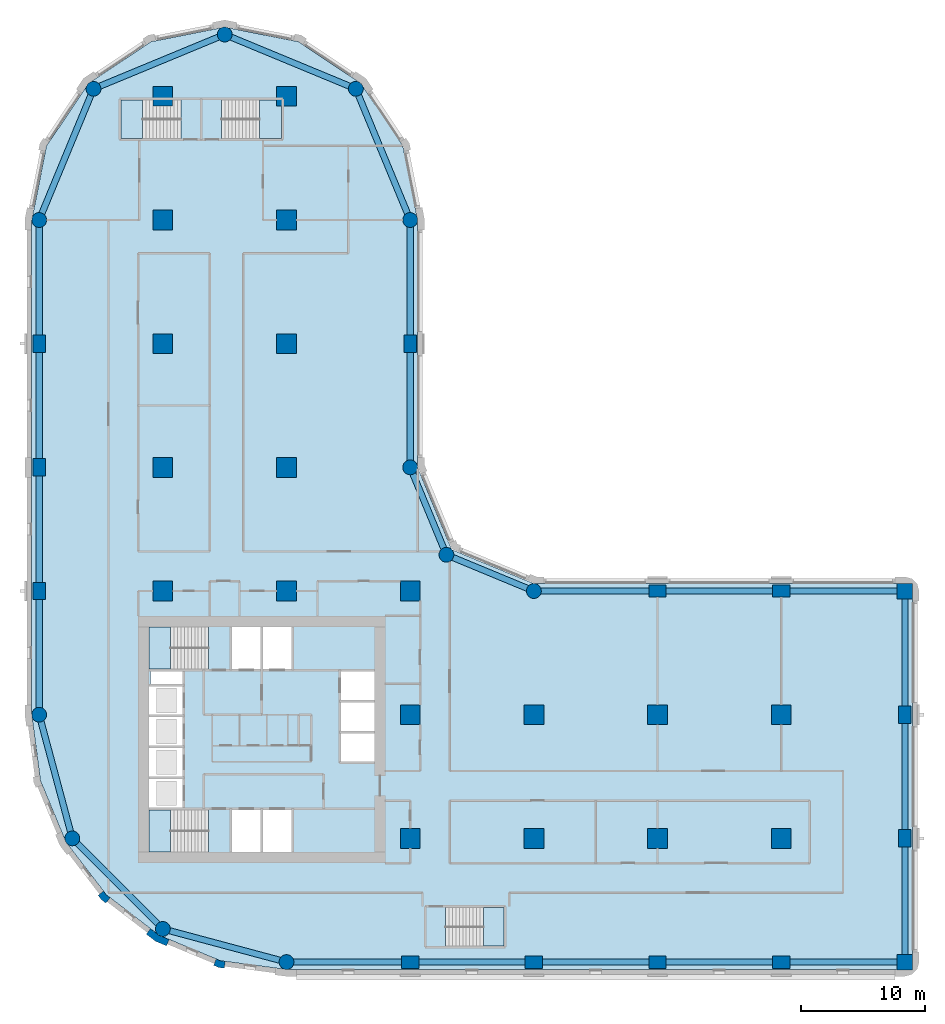
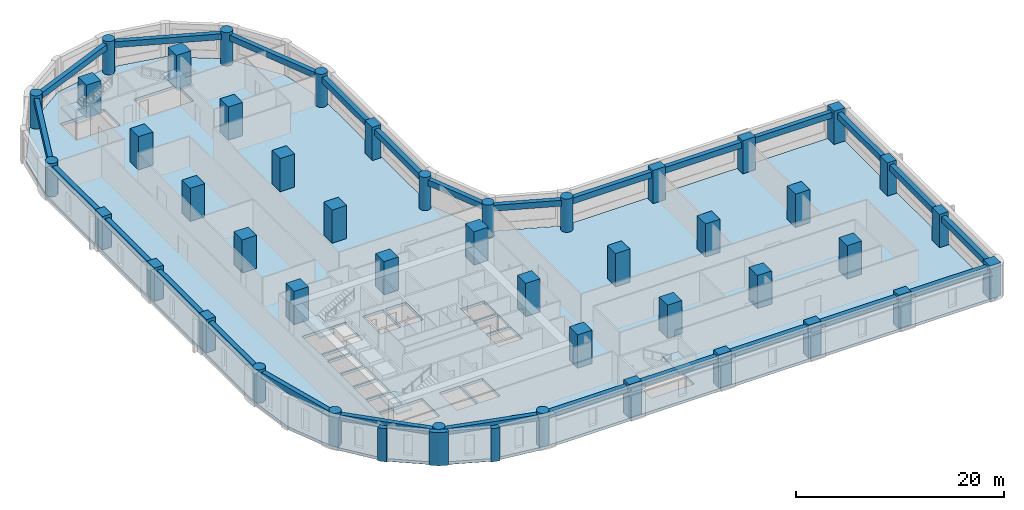
# One storey, part 1 of 10: 45 columns, 26 beams, 6 slabs, 3 walls, 5 elements without a shape of their own.
"""IFC4 building model written with IfcOpenShell, lengths in metres."""

from ifc_helpers import new_model, si_unit, direction, frame, origin, origin_2d, place, context, subcontext, project, spatial, polyline, rectangle, circle, outline, extrude, material, layer, layer_set, material_profile, profile_set, type_object, element, aggregate, save


model = new_model("IFC4")

# Units and contexts
model_context = context("Model", 3, precision=1e-05, world=origin(), true_north=direction((0.0, 1.0)))
body_context = subcontext(model_context, "Body", "Model", "MODEL_VIEW")
ifc_project = project(units=[si_unit("LENGTHUNIT", "METRE"), si_unit("AREAUNIT", "SQUARE_METRE"), si_unit("VOLUMEUNIT", "CUBIC_METRE"), si_unit("PLANEANGLEUNIT", "RADIAN"), si_unit("MASSUNIT", "GRAM", prefix="KILO")], contexts=[model_context])

# Site, building, storey
site_placement = place(None, origin())
site = spatial("IfcSite", under=ifc_project, at=site_placement, CompositionType="ELEMENT")
building_placement = place(site_placement, origin())
building = spatial("IfcBuilding", under=site, at=building_placement, Name="Qaws Garden Tower", CompositionType="ELEMENT")
storey_placement = place(building_placement, frame((0.0, 0.0, 35.39990234375)))
storey = spatial("IfcBuildingStorey", under=building, at=storey_placement, Name="L08", CompositionType="ELEMENT", Elevation=35.39990234375)

# Columns
ifc_material_1 = material(Name="Concrete C80", Category="concrete")
ifc_material_profile_1 = material_profile(ifc_material_1, rectangle(XDim=1.25, YDim=1.25, at=origin_2d()), Name="RC 1250x1250")
ifc_profile_set_1 = profile_set([ifc_material_profile_1], Name="Concrete C80")
column_type_1 = type_object("IfcColumnType", Name="Column RC 1250x1250 C80", PredefinedType="COLUMN", material=ifc_profile_set_1)
for number, where, z_axis, x_axis, name in (
    (1, (70.0, 0.0, 0.0), (0.0, 0.0, 1.0), (1.0, 0.0, 0.0), "Column L08-006"),
    (2, (70.0, 30.0, 0.0), (0.0, 0.0, 1.0), (1.0, 0.0, 0.0), "Column L08-009"),
):
    element("IfcColumn", number, at=place(storey_placement, frame(where, z_axis=z_axis, x_axis=x_axis)), inside=storey, type_object=column_type_1, Name=name, PredefinedType="COLUMN", context=body_context, shape_type="SweptSolid", body=[
        extrude(rectangle(XDim=1.25, YDim=1.25, at=origin_2d()), origin(), (0.0, 0.0, 1.0), 3.900146484375),
    ])
ifc_material_2 = material(Name="Concrete C80", Category="concrete")
ifc_material_profile_2 = material_profile(ifc_material_2, rectangle(XDim=1.39990234375, YDim=1.0, at=origin_2d()), Name="RC 1400x1000")
ifc_profile_set_2 = profile_set([ifc_material_profile_2], Name="Concrete C80")
column_type_2 = type_object("IfcColumnType", Name="Column RC 1400x1000 C80", PredefinedType="COLUMN", material=ifc_profile_set_2)
for number, where, z_axis, x_axis, name in (
    (3, (30.0, 0.0, 0.0), (0.0, 0.0, 1.0), (1.0, 0.0, 0.0), "Column L08-002"),
    (4, (40.0, 0.0, 0.0), (0.0, 0.0, 1.0), (1.0, 0.0, 0.0), "Column L08-003"),
    (5, (50.0, 0.0, 0.0), (0.0, 0.0, 1.0), (1.0, 0.0, 0.0), "Column L08-004"),
    (6, (60.0, 0.0, 0.0), (0.0, 0.0, 1.0), (1.0, 0.0, 0.0), "Column L08-005"),
    (7, (70.0, 10.0, 0.0), (0.0, 0.0, 1.0), (0.0, 1.0, 0.0), "Column L08-007"),
    (8, (70.0, 20.0, 0.0), (0.0, 0.0, 1.0), (0.0, 1.0, 0.0), "Column L08-008"),
    (9, (60.0, 30.0, 0.0), (0.0, 0.0, 1.0), (1.0, 0.0, 0.0), "Column L08-010"),
    (10, (50.0, 30.0, 0.0), (0.0, 0.0, 1.0), (1.0, 0.0, 0.0), "Column L08-011"),
    (11, (30.0, 50.0, 0.0), (0.0, 0.0, 1.0), (0.0, 1.0, 0.0), "Column L08-015"),
    (12, (0.0, 50.0, 0.0), (0.0, 0.0, 1.0), (0.0, 1.0, 0.0), "Column L08-021"),
    (13, (0.0, 40.0, 0.0), (0.0, 0.0, 1.0), (0.0, 1.0, 0.0), "Column L08-022"),
    (14, (0.0, 30.0, 0.0), (0.0, 0.0, 1.0), (0.0, 1.0, 0.0), "Column L08-023"),
):
    element("IfcColumn", number, at=place(storey_placement, frame(where, z_axis=z_axis, x_axis=x_axis)), inside=storey, type_object=column_type_2, Name=name, PredefinedType="COLUMN", context=body_context, shape_type="SweptSolid", body=[
        extrude(rectangle(XDim=1.39990234375, YDim=1.0, at=origin_2d()), origin(), (0.0, 0.0, 1.0), 3.900146484375),
    ])
ifc_material_3 = material(Name="Concrete C80", Category="concrete")
ifc_material_profile_3 = material_profile(ifc_material_3, rectangle(XDim=1.60009765625, YDim=1.60009765625, at=origin_2d()), Name="RC 1600x1600")
ifc_profile_set_3 = profile_set([ifc_material_profile_3], Name="Concrete C80")
column_type_3 = type_object("IfcColumnType", Name="Column RC 1600x1600 C80", PredefinedType="COLUMN", material=ifc_profile_set_3)
for number, where, z_axis, x_axis, name in (
    (15, (10.0, 30.0, 0.0), (0.0, 0.0, 1.0), (1.0, 0.0, 0.0), "Column L08-027"),
    (16, (10.0, 40.0, 0.0), (0.0, 0.0, 1.0), (1.0, 0.0, 0.0), "Column L08-028"),
    (17, (10.0, 50.0, 0.0), (0.0, 0.0, 1.0), (1.0, 0.0, 0.0), "Column L08-029"),
    (18, (10.0, 60.0, 0.0), (0.0, 0.0, 1.0), (1.0, 0.0, 0.0), "Column L08-030"),
    (19, (10.0, 70.0, 0.0), (0.0, 0.0, 1.0), (1.0, 0.0, 0.0), "Column L08-031"),
    (20, (20.0, 30.0, 0.0), (0.0, 0.0, 1.0), (1.0, 0.0, 0.0), "Column L08-032"),
    (21, (20.0, 40.0, 0.0), (0.0, 0.0, 1.0), (1.0, 0.0, 0.0), "Column L08-033"),
    (22, (20.0, 50.0, 0.0), (0.0, 0.0, 1.0), (1.0, 0.0, 0.0), "Column L08-034"),
    (23, (20.0, 60.0, 0.0), (0.0, 0.0, 1.0), (1.0, 0.0, 0.0), "Column L08-035"),
    (24, (20.0, 70.0, 0.0), (0.0, 0.0, 1.0), (1.0, 0.0, 0.0), "Column L08-036"),
    (25, (30.0, 10.0, 0.0), (0.0, 0.0, 1.0), (1.0, 0.0, 0.0), "Column L08-037"),
    (26, (30.0, 20.0, 0.0), (0.0, 0.0, 1.0), (1.0, 0.0, 0.0), "Column L08-038"),
    (27, (30.0, 30.0, 0.0), (0.0, 0.0, 1.0), (1.0, 0.0, 0.0), "Column L08-039"),
    (28, (40.0, 10.0, 0.0), (0.0, 0.0, 1.0), (1.0, 0.0, 0.0), "Column L08-040"),
    (29, (40.0, 20.0, 0.0), (0.0, 0.0, 1.0), (1.0, 0.0, 0.0), "Column L08-041"),
    (30, (50.0, 10.0, 0.0), (0.0, 0.0, 1.0), (1.0, 0.0, 0.0), "Column L08-042"),
    (31, (50.0, 20.0, 0.0), (0.0, 0.0, 1.0), (1.0, 0.0, 0.0), "Column L08-043"),
    (32, (60.0, 10.0, 0.0), (0.0, 0.0, 1.0), (1.0, 0.0, 0.0), "Column L08-044"),
    (33, (60.0, 20.0, 0.0), (0.0, 0.0, 1.0), (1.0, 0.0, 0.0), "Column L08-045"),
):
    element("IfcColumn", number, at=place(storey_placement, frame(where, z_axis=z_axis, x_axis=x_axis)), inside=storey, type_object=column_type_3, Name=name, PredefinedType="COLUMN", context=body_context, shape_type="SweptSolid", body=[
        extrude(rectangle(XDim=1.60009765625, YDim=1.60009765625, at=origin_2d()), origin(), (0.0, 0.0, 1.0), 3.900146484375),
    ])
ifc_material_4 = material(Name="Concrete C80", Category="concrete")
ifc_material_profile_4 = material_profile(ifc_material_4, circle(Radius=0.60009765625, at=origin_2d()), Name="RC D1200")
ifc_profile_set_4 = profile_set([ifc_material_profile_4], Name="Concrete C80")
column_type_4 = type_object("IfcColumnType", Name="Column RC D1200 C80", PredefinedType="COLUMN", material=ifc_profile_set_4)
for number, where, z_axis, x_axis, name in (
    (34, (20.0, 0.0, 0.0), (0.0, 0.0, 1.0), (1.0, 0.0, 0.0), "Column L08-001"),
    (35, (40.0, 30.0, 0.0), (0.0, 0.0, 1.0), (1.0, 0.0, 0.0), "Column L08-012"),
    (36, (32.928955078125, 32.928955078125, 0.0), (0.0, 0.0, 1.0), (1.0, 0.0, 0.0), "Column L08-013"),
    (37, (30.0, 40.0, 0.0), (0.0, 0.0, 1.0), (1.0, 0.0, 0.0), "Column L08-014"),
    (38, (30.0, 60.0, 0.0), (0.0, 0.0, 1.0), (1.0, 0.0, 0.0), "Column L08-016"),
    (39, (25.606689453125, 70.606689453125, 0.0), (0.0, 0.0, 1.0), (1.0, 0.0, 0.0), "Column L08-017"),
    (40, (15.0, 75.0, 0.0), (0.0, 0.0, 1.0), (1.0, 0.0, 0.0), "Column L08-018"),
    (41, (4.393310546875, 70.606689453125, 0.0), (0.0, 0.0, 1.0), (1.0, 0.0, 0.0), "Column L08-019"),
    (42, (0.0, 60.0, 0.0), (0.0, 0.0, 1.0), (1.0, 0.0, 0.0), "Column L08-020"),
    (43, (0.0, 20.0, 0.0), (0.0, 0.0, 1.0), (1.0, 0.0, 0.0), "Column L08-024"),
    (44, (2.679443359375, 10.0, 0.0), (0.0, 0.0, 1.0), (1.0, 0.0, 0.0), "Column L08-025"),
    (45, (10.0, 2.679443359375, 0.0), (0.0, 0.0, 1.0), (1.0, 0.0, 0.0), "Column L08-026"),
):
    element("IfcColumn", number, at=place(storey_placement, frame(where, z_axis=z_axis, x_axis=x_axis)), inside=storey, type_object=column_type_4, Name=name, PredefinedType="COLUMN", context=body_context, shape_type="SweptSolid", body=[
        extrude(circle(Radius=0.60009765625, at=origin_2d()), origin(), (0.0, 0.0, 1.0), 3.900146484375),
    ])

# Beams
ifc_material_5 = material(Name="Concrete C45", Category="concrete")
ifc_material_profile_5 = material_profile(ifc_material_5, rectangle(XDim=0.5, YDim=0.699951171875, at=origin_2d()), Name="RC 500x700")
ifc_profile_set_5 = profile_set([ifc_material_profile_5], Name="Concrete C45")
beam_type = type_object("IfcBeamType", Name="Spandrel beam RC 500x700 C45", PredefinedType="SPANDREL", material=ifc_profile_set_5)
for number, where, z_axis, x_axis, name in (
    (46, (20.0, 0.0, 3.22998046875), (1.0, 0.0, 0.0), (0.0, 1.0, 0.0), "Spandrel beam L08-001"),
    (47, (30.0, 0.0, 3.22998046875), (1.0, 0.0, 0.0), (0.0, 1.0, 0.0), "Spandrel beam L08-002"),
    (48, (40.0, 0.0, 3.22998046875), (1.0, 0.0, 0.0), (0.0, 1.0, 0.0), "Spandrel beam L08-003"),
    (49, (50.0, 0.0, 3.22998046875), (1.0, 0.0, 0.0), (0.0, 1.0, 0.0), "Spandrel beam L08-004"),
    (50, (60.0, 0.0, 3.22998046875), (1.0, 0.0, 0.0), (0.0, 1.0, 0.0), "Spandrel beam L08-005"),
    (51, (70.0, 0.0, 3.22998046875), (0.0, 1.0, 0.0), (-1.0, 0.0, 0.0), "Spandrel beam L08-006"),
    (52, (70.0, 10.0, 3.22998046875), (0.0, 1.0, 0.0), (-1.0, 0.0, 0.0), "Spandrel beam L08-007"),
    (53, (70.0, 20.0, 3.22998046875), (0.0, 1.0, 0.0), (-1.0, 0.0, 0.0), "Spandrel beam L08-008"),
    (54, (70.0, 30.0, 3.22998046875), (-1.0, 0.0, 0.0), (0.0, -1.0, 0.0), "Spandrel beam L08-009"),
    (55, (60.0, 30.0, 3.22998046875), (-1.0, 0.0, 0.0), (0.0, -1.0, 0.0), "Spandrel beam L08-010"),
    (56, (50.0, 30.0, 3.22998046875), (-1.0, 0.0, 0.0), (0.0, -1.0, 0.0), "Spandrel beam L08-011"),
):
    element("IfcBeam", number, at=place(storey_placement, frame(where, z_axis=z_axis, x_axis=x_axis)), inside=storey, type_object=beam_type, Name=name, PredefinedType="SPANDREL", context=body_context, shape_type="SweptSolid", body=[
        extrude(rectangle(XDim=0.5, YDim=0.699951171875, at=origin_2d()), origin(), (0.0, 0.0, 1.0), 10.0),
    ])
for number, where, z_axis, x_axis, name in (
    (57, (40.0, 30.0, 3.22998046875), (-0.923878037141, 0.382687042488, 0.0), (-0.382687042488, -0.923878037141, 0.0), "Spandrel beam L08-012"),
    (58, (32.928955078125, 32.928955078125, 3.22998046875), (-0.382687042488, 0.923878037141, 0.0), (-0.923878037141, -0.382687042488, 0.0), "Spandrel beam L08-013"),
):
    element("IfcBeam", number, at=place(storey_placement, frame(where, z_axis=z_axis, x_axis=x_axis)), inside=storey, type_object=beam_type, Name=name, PredefinedType="SPANDREL", context=body_context, shape_type="SweptSolid", body=[
        extrude(rectangle(XDim=0.5, YDim=0.699951171875, at=origin_2d()), origin(), (0.0, 0.0, 1.0), 7.653564453125),
    ])
for number, where, z_axis, x_axis, name in (
    (59, (30.0, 40.0, 3.22998046875), (0.0, 1.0, 0.0), (-1.0, 0.0, 0.0), "Spandrel beam L08-014"),
    (60, (30.0, 50.0, 3.22998046875), (0.0, 1.0, 0.0), (-1.0, 0.0, 0.0), "Spandrel beam L08-015"),
):
    element("IfcBeam", number, at=place(storey_placement, frame(where, z_axis=z_axis, x_axis=x_axis)), inside=storey, type_object=beam_type, Name=name, PredefinedType="SPANDREL", context=body_context, shape_type="SweptSolid", body=[
        extrude(rectangle(XDim=0.5, YDim=0.699951171875, at=origin_2d()), origin(), (0.0, 0.0, 1.0), 10.0),
    ])
for number, where, z_axis, x_axis, name in (
    (61, (30.0, 60.0, 3.22998046875), (-0.382674207535, 0.923883353507, 0.0), (-0.923883353507, -0.382674207535, 0.0), "Spandrel beam L08-016"),
    (62, (25.606689453125, 70.606689453125, 3.22998046875), (-0.923883353507, 0.382674207535, 0.0), (-0.382674207535, -0.923883353507, 0.0), "Spandrel beam L08-017"),
    (63, (15.0, 75.0, 3.22998046875), (-0.923883353507, -0.382674207535, 0.0), (0.382674207535, -0.923883353507, 0.0), "Spandrel beam L08-018"),
    (64, (4.393310546875, 70.606689453125, 3.22998046875), (-0.382674207535, -0.923883353507, 0.0), (0.923883353507, -0.382674207535, 0.0), "Spandrel beam L08-019"),
):
    element("IfcBeam", number, at=place(storey_placement, frame(where, z_axis=z_axis, x_axis=x_axis)), inside=storey, type_object=beam_type, Name=name, PredefinedType="SPANDREL", context=body_context, shape_type="SweptSolid", body=[
        extrude(rectangle(XDim=0.5, YDim=0.699951171875, at=origin_2d()), origin(), (0.0, 0.0, 1.0), 11.48046875),
    ])
for number, where, z_axis, x_axis, name in (
    (65, (0.0, 60.0, 3.22998046875), (0.0, -1.0, 0.0), (1.0, 0.0, 0.0), "Spandrel beam L08-020"),
    (66, (0.0, 50.0, 3.22998046875), (0.0, -1.0, 0.0), (1.0, 0.0, 0.0), "Spandrel beam L08-021"),
    (67, (0.0, 40.0, 3.22998046875), (0.0, -1.0, 0.0), (1.0, 0.0, 0.0), "Spandrel beam L08-022"),
    (68, (0.0, 30.0, 3.22998046875), (0.0, -1.0, 0.0), (1.0, 0.0, 0.0), "Spandrel beam L08-023"),
):
    element("IfcBeam", number, at=place(storey_placement, frame(where, z_axis=z_axis, x_axis=x_axis)), inside=storey, type_object=beam_type, Name=name, PredefinedType="SPANDREL", context=body_context, shape_type="SweptSolid", body=[
        extrude(rectangle(XDim=0.5, YDim=0.699951171875, at=origin_2d()), origin(), (0.0, 0.0, 1.0), 10.0),
    ])
for number, where, z_axis, x_axis, name in (
    (69, (0.0, 20.0, 3.22998046875), (0.25881466832, -0.965926999034, 0.0), (0.965926999034, 0.25881466832, 0.0), "Spandrel beam L08-024"),
    (70, (2.679443359375, 10.0, 3.22998046875), (0.707106781187, -0.707106781187, 0.0), (0.707106781187, 0.707106781187, 0.0), "Spandrel beam L08-025"),
    (71, (10.0, 2.679443359375, 3.22998046875), (0.965926999034, -0.25881466832, 0.0), (0.25881466832, 0.965926999034, 0.0), "Spandrel beam L08-026"),
):
    element("IfcBeam", number, at=place(storey_placement, frame(where, z_axis=z_axis, x_axis=x_axis)), inside=storey, type_object=beam_type, Name=name, PredefinedType="SPANDREL", context=body_context, shape_type="SweptSolid", body=[
        extrude(rectangle(XDim=0.5, YDim=0.699951171875, at=origin_2d()), origin(), (0.0, 0.0, 1.0), 10.352783203125),
    ])

# Slab
ifc_material_6 = material(Name="Concrete C40", Category="concrete")
ifc_layer_1 = layer(ifc_material_6, 0.320068359375)
ifc_layer_set_1 = layer_set([ifc_layer_1], Name="Concrete C40")
slab_type_1 = type_object("IfcSlabType", Name="Floor slab 320 C40", PredefinedType="FLOOR", material=ifc_layer_set_1)
slab_1_placement = place(storey_placement, frame((0.0, 0.0, -0.31982421875)))
element("IfcSlab", 72, at=slab_1_placement, inside=storey, type_object=slab_type_1, Name="Floor slab L08", PredefinedType="FLOOR", context=body_context, shape_type="SweptSolid", body=[
    extrude(outline(polyline([(0.101806640625, 14.668212890625), (-0.60009765625, 20.0), (-0.60009765625, 30.60009765625), (-0.60009765625, 60.0), (-0.60009765625, 60.0), (0.58740234375, 65.969970703125), (3.968994140625, 71.031005859375), (9.030029296875, 74.41259765625), (15.0, 75.60009765625), (20.969970703125, 74.41259765625), (26.031005859375, 71.031005859375), (29.41259765625, 65.969970703125), (30.60009765625, 60.0), (30.60009765625, 40.0), (33.353271484375, 33.353271484375), (40.0, 30.60009765625), (70.0, 30.60009765625), (70.42431640625, 30.42431640625), (70.60009765625, 30.0), (70.60009765625, 0.0), (70.42431640625, -0.42431640625), (70.0, -0.60009765625), (30.60009765625, -0.60009765625), (20.0, -0.60009765625), (14.668212890625, 0.101806640625), (9.699951171875, 2.159912109375), (5.43359375, 5.43359375), (2.159912109375, 9.699951171875), (0.101806640625, 14.668212890625)]), holes=[polyline([(13.699462890625, 12.300048828125), (8.89990234375, 12.300048828125), (8.89990234375, 8.89990234375), (13.699462890625, 8.89990234375), (13.699462890625, 12.300048828125)]), polyline([(17.89990234375, 12.300048828125), (15.60009765625, 12.300048828125), (15.60009765625, 8.89990234375), (17.89990234375, 8.89990234375), (17.89990234375, 12.300048828125)]), polyline([(11.60009765625, 14.800048828125), (8.89990234375, 14.800048828125), (8.89990234375, 12.5), (11.60009765625, 12.5), (11.60009765625, 14.800048828125)]), polyline([(11.60009765625, 17.300048828125), (8.89990234375, 17.300048828125), (8.89990234375, 15.0), (11.60009765625, 15.0), (11.60009765625, 17.300048828125)]), polyline([(11.60009765625, 19.800048828125), (8.89990234375, 19.800048828125), (8.89990234375, 17.5), (11.60009765625, 17.5), (11.60009765625, 19.800048828125)]), polyline([(11.60009765625, 22.300048828125), (8.89990234375, 22.300048828125), (8.89990234375, 20.0), (11.60009765625, 20.0), (11.60009765625, 22.300048828125)]), polyline([(11.60009765625, 23.5), (9.0, 23.5), (9.0, 22.5), (11.60009765625, 22.5), (11.60009765625, 23.5)]), polyline([(13.699462890625, 27.10009765625), (8.89990234375, 27.10009765625), (8.89990234375, 23.699951171875), (13.699462890625, 23.699951171875), (13.699462890625, 27.10009765625)]), polyline([(11.449462890625, 69.699951171875), (6.60009765625, 69.699951171875), (6.60009765625, 66.60009765625), (11.449462890625, 66.60009765625), (11.449462890625, 69.699951171875)]), polyline([(37.60009765625, 4.39990234375), (32.8505859375, 4.39990234375), (32.8505859375, 1.300048828125), (37.60009765625, 1.300048828125), (37.60009765625, 4.39990234375)]), polyline([(20.39990234375, 12.300048828125), (18.10009765625, 12.300048828125), (18.10009765625, 8.89990234375), (20.39990234375, 8.89990234375), (20.39990234375, 12.300048828125)]), polyline([(27.10009765625, 18.5), (24.39990234375, 18.5), (24.39990234375, 16.199951171875), (27.10009765625, 16.199951171875), (27.10009765625, 18.5)]), polyline([(27.10009765625, 21.0), (24.39990234375, 21.0), (24.39990234375, 18.699951171875), (27.10009765625, 18.699951171875), (27.10009765625, 21.0)]), polyline([(27.10009765625, 23.5), (24.39990234375, 23.5), (24.39990234375, 21.199951171875), (27.10009765625, 21.199951171875), (27.10009765625, 23.5)]), polyline([(17.89990234375, 27.10009765625), (15.60009765625, 27.10009765625), (15.60009765625, 23.699951171875), (17.89990234375, 23.699951171875), (17.89990234375, 27.10009765625)]), polyline([(20.39990234375, 23.699951171875), (20.39990234375, 27.10009765625), (18.10009765625, 27.10009765625), (18.10009765625, 23.699951171875), (20.39990234375, 23.699951171875)]), polyline([(19.60009765625, 66.60009765625), (19.60009765625, 69.699951171875), (14.75048828125, 69.699951171875), (14.75048828125, 66.60009765625), (19.60009765625, 66.60009765625)])]), origin(), (0.0, 0.0, 1.0), 0.31982421875),
])

# Stair, slab
ifc_material_7 = material(Name="Concrete C40", Category="concrete")
stair_type_1 = type_object("IfcStairType", Name="Exit stair 1500", PredefinedType="HALF_TURN_STAIR", material=ifc_material_7)
placement_1 = place(storey_placement, origin())
stair_1 = element("IfcStair", 73, at=placement_1, inside=storey, type_object=stair_type_1, Name="Stair 1", PredefinedType="HALF_TURN_STAIR")
ifc_material_8 = material(Name="Concrete C40", Category="concrete")
ifc_layer_2 = layer(ifc_material_8, 0.199951171875)
ifc_layer_set_2 = layer_set([ifc_layer_2], Name="Concrete C40")
slab_type_2 = type_object("IfcSlabType", Name="Stair landing 200", PredefinedType="LANDING", material=ifc_layer_set_2)
placement_2 = place(storey_placement, frame((0.0, 0.0, 1.75)))
slab_2 = element("IfcSlab", 74, at=placement_2, type_object=slab_type_2, Name="ST1 landing 1", PredefinedType="LANDING", context=body_context, shape_type="SweptSolid", body=[
    extrude(outline(polyline([(8.89990234375, 8.89990234375), (10.6201171875, 8.89990234375), (10.6201171875, 12.300048828125), (8.89990234375, 12.300048828125), (8.89990234375, 8.89990234375)])), origin(), (0.0, 0.0, 1.0), 0.2001953125),
])
aggregate(stair_1, [slab_2])

stair_2 = element("IfcStair", 75, at=placement_1, inside=storey, type_object=stair_type_1, Name="Stair 4", PredefinedType="HALF_TURN_STAIR")
slab_3 = element("IfcSlab", 76, at=placement_2, type_object=slab_type_2, Name="ST4 landing 1", PredefinedType="LANDING", context=body_context, shape_type="SweptSolid", body=[
    extrude(outline(polyline([(8.89990234375, 23.699951171875), (10.6201171875, 23.699951171875), (10.6201171875, 27.10009765625), (8.89990234375, 27.10009765625), (8.89990234375, 23.699951171875)])), origin(), (0.0, 0.0, 1.0), 0.2001953125),
])
aggregate(stair_2, [slab_3])

ifc_material_9 = material(Name="Concrete C40", Category="concrete")
stair_type_2 = type_object("IfcStairType", Name="Exit stair 1350", PredefinedType="HALF_TURN_STAIR", material=ifc_material_9)
stair_3 = element("IfcStair", 77, at=placement_1, inside=storey, type_object=stair_type_2, Name="Stair 5", PredefinedType="HALF_TURN_STAIR")
slab_4 = element("IfcSlab", 78, at=placement_2, type_object=slab_type_2, Name="ST5 landing 1", PredefinedType="LANDING", context=body_context, shape_type="SweptSolid", body=[
    extrude(outline(polyline([(35.929931640625, 1.300048828125), (37.60009765625, 1.300048828125), (37.60009765625, 4.39990234375), (35.929931640625, 4.39990234375), (35.929931640625, 1.300048828125)])), origin(), (0.0, 0.0, 1.0), 0.2001953125),
])
aggregate(stair_3, [slab_4])

stair_4 = element("IfcStair", 79, at=placement_1, inside=storey, type_object=stair_type_2, Name="Stair 6", PredefinedType="HALF_TURN_STAIR")
slab_5 = element("IfcSlab", 80, at=placement_2, type_object=slab_type_2, Name="ST6 landing 1", PredefinedType="LANDING", context=body_context, shape_type="SweptSolid", body=[
    extrude(outline(polyline([(6.60009765625, 66.60009765625), (8.3701171875, 66.60009765625), (8.3701171875, 69.699951171875), (6.60009765625, 69.699951171875), (6.60009765625, 66.60009765625)])), origin(), (0.0, 0.0, 1.0), 0.2001953125),
])
aggregate(stair_4, [slab_5])

stair_5 = element("IfcStair", 81, at=placement_1, inside=storey, type_object=stair_type_2, Name="Stair 7", PredefinedType="HALF_TURN_STAIR")
slab_6 = element("IfcSlab", 82, at=placement_2, type_object=slab_type_2, Name="ST7 landing 1", PredefinedType="LANDING", context=body_context, shape_type="SweptSolid", body=[
    extrude(outline(polyline([(17.830078125, 66.60009765625), (19.60009765625, 66.60009765625), (19.60009765625, 69.699951171875), (17.830078125, 69.699951171875), (17.830078125, 66.60009765625)])), origin(), (0.0, 0.0, 1.0), 0.2001953125),
])
aggregate(stair_5, [slab_6])

# Walls
ifc_material_10 = material(Name="Clay facing brick masonry", Category="masonry")
ifc_layer_3 = layer(ifc_material_10, 0.550048828125)
ifc_layer_set_3 = layer_set([ifc_layer_3], Name="Clay facing brick masonry")
wall_type_1 = type_object("IfcWallType", Name="Brick kink pier 550 x 600", PredefinedType="SOLIDWALL", material=ifc_layer_set_3)
element("IfcWall", 83, at=placement_1, inside=storey, type_object=wall_type_1, Name="E-L08-pier-30", PredefinedType="SOLIDWALL", context=body_context, shape_type="SweptSolid", body=[
    extrude(outline(polyline([(4.8818359375, 5.487060546875), (4.762939453125, 5.395751953125), (5.03759765625, 5.03759765625), (5.395751953125, 4.762939453125), (5.487060546875, 4.8818359375), (5.730712890625, 5.19921875), (5.429931640625, 5.429931640625), (5.19921875, 5.730712890625), (4.8818359375, 5.487060546875)])), origin(), (0.0, 0.0, 1.0), 3.900146484375),
])
element("IfcWall", 84, at=placement_1, inside=storey, type_object=wall_type_1, Name="E-L08-pier-32", PredefinedType="SOLIDWALL", context=body_context, shape_type="SweptSolid", body=[
    extrude(outline(polyline([(14.163818359375, -0.127685546875), (14.1064453125, -0.26611328125), (14.5234375, -0.43896484375), (14.970947265625, -0.497802734375), (14.990478515625, -0.34912109375), (15.042724609375, 0.04736328125), (14.6669921875, 0.096923828125), (14.31689453125, 0.241943359375), (14.163818359375, -0.127685546875)])), origin(), (0.0, 0.0, 1.0), 3.900146484375),
])
ifc_material_11 = material(Name="Clay facing brick masonry", Category="masonry")
ifc_layer_4 = layer(ifc_material_11, 0.550048828125)
ifc_layer_set_4 = layer_set([ifc_layer_4], Name="Clay facing brick masonry")
wall_type_2 = type_object("IfcWallType", Name="Brick pier 550 x 1600", PredefinedType="SOLIDWALL", material=ifc_layer_set_4)
element("IfcWall", 85, at=placement_1, inside=storey, type_object=wall_type_2, Name="E-L08-pier-31", PredefinedType="SOLIDWALL", context=body_context, shape_type="SweptSolid", body=[
    extrude(outline(polyline([(8.756591796875, 2.373046875), (8.665283203125, 2.254150390625), (9.419921875, 1.675048828125), (10.299072265625, 1.310791015625), (10.3564453125, 1.449462890625), (10.509521484375, 1.819091796875), (9.697509765625, 2.1552734375), (9.0, 2.6904296875), (8.756591796875, 2.373046875)])), origin(), (0.0, 0.0, 1.0), 3.900146484375),
])

save(model, "model.ifc")
